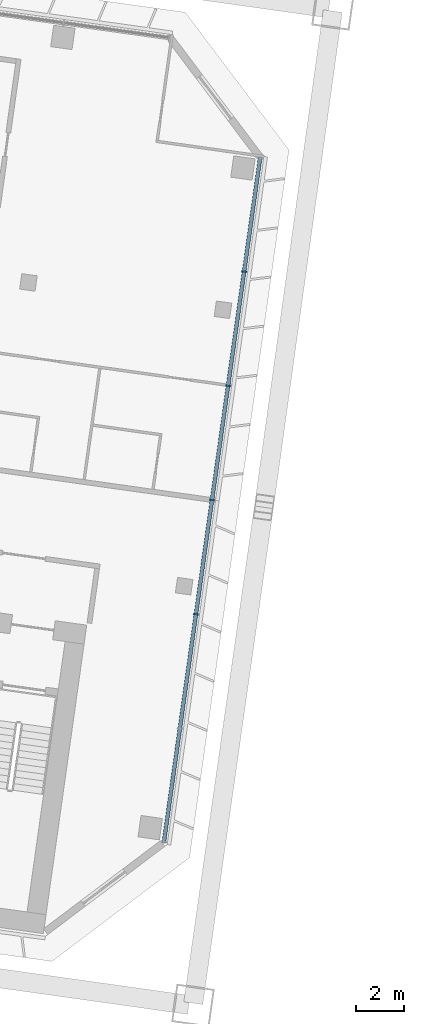
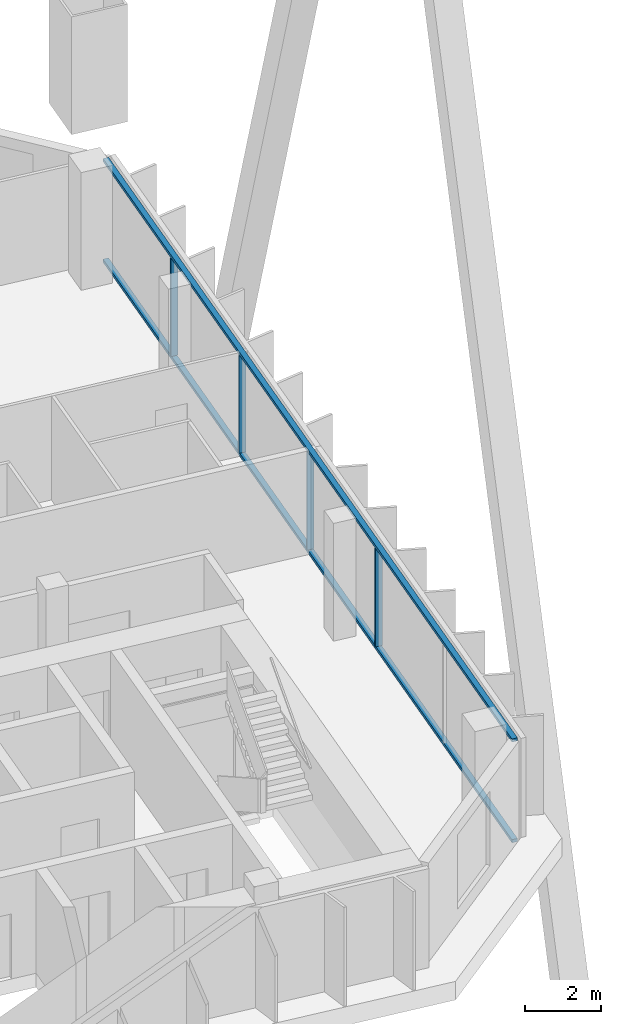
# One storey, part 12 of 41: 6 members, 1 element without a shape of its own.
"""IFC4 building model written with IfcOpenShell, lengths in metres."""

from ifc_helpers import new_model, si_unit, direction, frame, origin, origin_2d, place, context, subcontext, project, spatial, rectangle, extrude, material, material_profile, profile_set, type_object, element, aggregate, save


model = new_model("IFC4")

# Units and contexts
model_context = context("Model", 3, precision=1e-05, world=origin(), true_north=direction((0.0, 1.0)))
body_context = subcontext(model_context, "Body", "Model", "MODEL_VIEW")
ifc_project = project(units=[si_unit("LENGTHUNIT", "METRE"), si_unit("AREAUNIT", "SQUARE_METRE"), si_unit("VOLUMEUNIT", "CUBIC_METRE"), si_unit("PLANEANGLEUNIT", "RADIAN"), si_unit("MASSUNIT", "GRAM", prefix="KILO")], contexts=[model_context])

# Site, building, storey
site_placement = place(None, origin())
site = spatial("IfcSite", under=ifc_project, at=site_placement, CompositionType="ELEMENT")
building_placement = place(site_placement, origin())
building = spatial("IfcBuilding", under=site, at=building_placement, Name="Mirante Cascada Hotel Towers", CompositionType="ELEMENT")
storey_placement = place(building_placement, frame((0.0, 0.0, 125.3)))
storey = spatial("IfcBuildingStorey", under=building, at=storey_placement, Name="L28", CompositionType="ELEMENT", Elevation=125.3)

# Curtain wall, members
ifc_material_1 = material(Name="Aluminium mullion and transom frame with clear laminated glass", Category="aluminium")
curtain_wall_type = type_object("IfcCurtainWallType", Name="End ribbon curtain wall ECW2", PredefinedType="NOTDEFINED", material=ifc_material_1)
curtain_wall_placement = place(storey_placement, origin())
curtain_wall = element("IfcCurtainWall", 1, at=curtain_wall_placement, inside=storey, type_object=curtain_wall_type, Name="Inner end wall T1 L28", PredefinedType="NOTDEFINED")
ifc_material_2 = material(Name="Anodised aluminium extrusion", Category="aluminium")
ifc_material_profile_1 = material_profile(ifc_material_2, rectangle(XDim=0.2, YDim=0.065, at=origin_2d()), Name="ECW2 MULLION 65x200")
ifc_profile_set_1 = profile_set([ifc_material_profile_1], Name="Anodised aluminium extrusion")
member_type_1 = type_object("IfcMemberType", Name="ECW2 mullion 65x200", PredefinedType="MULLION", material=ifc_profile_set_1)
member_1_placement = place(storey_placement, frame((-28.809, 7.5524, 0.1), z_axis=(0.0, 0.0, 1.0), x_axis=(0.9902681, -0.1391731, 0.0)))
member_1 = element("IfcMember", 2, at=member_1_placement, type_object=member_type_1, Name="ECW2 mullion 2", PredefinedType="MULLION", context=body_context, shape_type="SweptSolid", body=[
    extrude(rectangle(XDim=0.2, YDim=0.065, at=origin_2d()), origin(), (0.0, 0.0, 1.0), 3.15),
])
member_2_placement = place(storey_placement, frame((-29.4788, 2.7867, 0.1), z_axis=(0.0, 0.0, 1.0), x_axis=(0.9902681, -0.1391731, 0.0)))
member_2 = element("IfcMember", 3, at=member_2_placement, type_object=member_type_1, Name="ECW2 mullion 3", PredefinedType="MULLION", context=body_context, shape_type="SweptSolid", body=[
    extrude(rectangle(XDim=0.2, YDim=0.065, at=origin_2d()), origin(), (0.0, 0.0, 1.0), 3.15),
])
member_3_placement = place(storey_placement, frame((-30.1485, -1.9791, 0.1), z_axis=(0.0, 0.0, 1.0), x_axis=(0.9902681, -0.1391731, 0.0)))
member_3 = element("IfcMember", 4, at=member_3_placement, type_object=member_type_1, Name="ECW2 mullion 4", PredefinedType="MULLION", context=body_context, shape_type="SweptSolid", body=[
    extrude(rectangle(XDim=0.2, YDim=0.065, at=origin_2d()), origin(), (0.0, 0.0, 1.0), 3.15),
])
member_4_placement = place(storey_placement, frame((-30.8183, -6.7449, 0.1), z_axis=(0.0, 0.0, 1.0), x_axis=(0.9902681, -0.1391731, 0.0)))
member_4 = element("IfcMember", 5, at=member_4_placement, type_object=member_type_1, Name="ECW2 mullion 5", PredefinedType="MULLION", context=body_context, shape_type="SweptSolid", body=[
    extrude(rectangle(XDim=0.2, YDim=0.065, at=origin_2d()), origin(), (0.0, 0.0, 1.0), 3.15),
])
ifc_material_3 = material(Name="Anodised aluminium extrusion", Category="aluminium")
ifc_material_profile_2 = material_profile(ifc_material_3, rectangle(XDim=0.16, YDim=0.1, at=origin_2d()), Name="ECW2 TRANSOM 100x160")
ifc_profile_set_2 = profile_set([ifc_material_profile_2], Name="Anodised aluminium extrusion")
member_type_2 = type_object("IfcMemberType", Name="ECW2 transom 100x160", PredefinedType="USERDEFINED", material=ifc_profile_set_2)
member_5_placement = place(storey_placement, frame((-28.1392, 12.3182, 0.05), z_axis=(-0.1391723, -0.9902682, 0.0), x_axis=(0.9902682, -0.1391723, 0.0)))
member_5 = element("IfcMember", 6, at=member_5_placement, type_object=member_type_2, Name="ECW2 sill transom", ObjectType="TRANSOM", PredefinedType="USERDEFINED", context=body_context, shape_type="SweptSolid", body=[
    extrude(rectangle(XDim=0.16, YDim=0.1, at=origin_2d()), origin(), (0.0, 0.0, 1.0), 28.8757),
])
member_6_placement = place(storey_placement, frame((-28.1392, 12.3182, 3.3), z_axis=(-0.1391723, -0.9902682, 0.0), x_axis=(0.9902682, -0.1391723, 0.0)))
member_6 = element("IfcMember", 7, at=member_6_placement, type_object=member_type_2, Name="ECW2 head transom", ObjectType="TRANSOM", PredefinedType="USERDEFINED", context=body_context, shape_type="SweptSolid", body=[
    extrude(rectangle(XDim=0.16, YDim=0.1, at=origin_2d()), origin(), (0.0, 0.0, 1.0), 28.8757),
])
aggregate(curtain_wall, [member_5, member_6, member_1, member_2, member_3, member_4])

save(model, "model.ifc")
